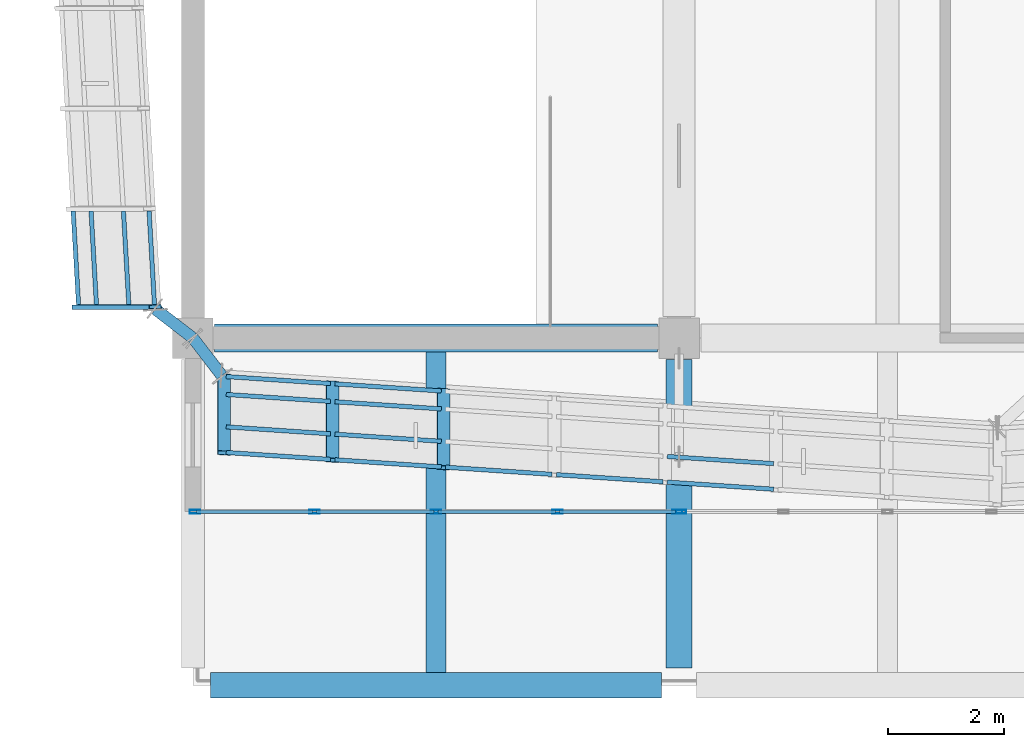
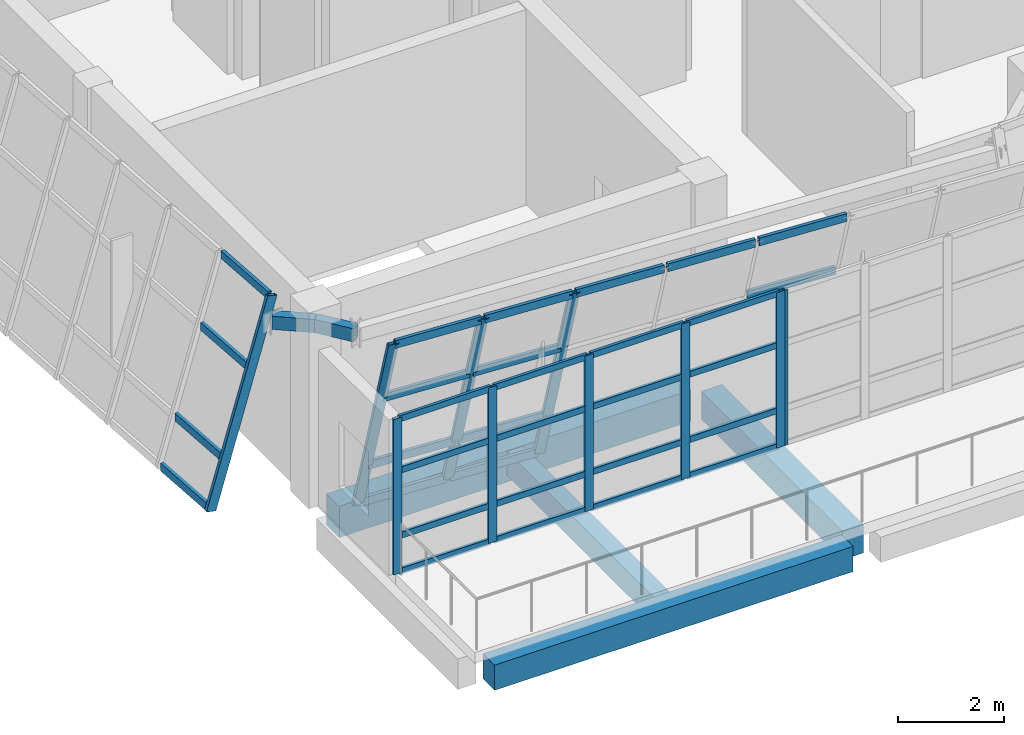
# One storey, part 2 of 67: 42 members, 6 beams, 4 elements without a shape of their own.
"""IFC4 building model written with IfcOpenShell, lengths in metres."""

from ifc_helpers import new_model, si_unit, direction, frame, origin, origin_2d, place, context, subcontext, project, spatial, rectangle, hollow_rectangle, extrude, material, material_profile, profile_set, type_object, element, aggregate, save


model = new_model("IFC4")

# Units and contexts
model_context = context("Model", 3, precision=1e-05, world=origin(), true_north=direction((0.0, 1.0)))
body_context = subcontext(model_context, "Body", "Model", "MODEL_VIEW")
ifc_project = project(units=[si_unit("LENGTHUNIT", "METRE"), si_unit("AREAUNIT", "SQUARE_METRE"), si_unit("VOLUMEUNIT", "CUBIC_METRE"), si_unit("PLANEANGLEUNIT", "RADIAN"), si_unit("MASSUNIT", "GRAM", prefix="KILO")], contexts=[model_context])

# Site, building, storey
site_placement = place(None, origin())
site = spatial("IfcSite", under=ifc_project, at=site_placement, CompositionType="ELEMENT")
building_placement = place(site_placement, origin())
building = spatial("IfcBuilding", under=site, at=building_placement, Name="Pellamere Symphony Hall", CompositionType="ELEMENT")
storey_placement = place(building_placement, frame((0.0, 0.0, 19.5)))
storey = spatial("IfcBuildingStorey", under=building, at=storey_placement, Name="L04", CompositionType="ELEMENT", Elevation=19.5)

# Curtain wall, members
ifc_material_1 = material(Name="Thermally Broken Anodised Aluminium 6063-T6 Curtain Wall", Category="aluminium")
curtain_wall_type_1 = type_object("IfcCurtainWallType", Name="Curtain Wall CW-01 (Tilted Faceted Crystal Low-Iron Curtain Wall)", PredefinedType="NOTDEFINED", material=ifc_material_1)
curtain_wall_1_placement = place(storey_placement, origin())
curtain_wall_1 = element("IfcCurtainWall", 1, at=curtain_wall_1_placement, inside=storey, type_object=curtain_wall_type_1, Name="Crystal Faceted Curtain Wall CW-CR01 (L04)", PredefinedType="NOTDEFINED")
ifc_material_2 = material(Name="Anodised Architectural Aluminium 6063-T6", Category="aluminium")
ifc_material_profile_1 = material_profile(ifc_material_2, hollow_rectangle(XDim=0.074951171875, YDim=0.219970703125, WallThickness=0.0048828125, at=origin_2d()), Name="ALU-M75X220X5")
ifc_profile_set_1 = profile_set([ifc_material_profile_1], Name="Anodised Architectural Aluminium 6063-T6")
member_type_1 = type_object("IfcMemberType", Name="Curtain Wall Mullion ML-01 ALU-M75X220X5", PredefinedType="MULLION", material=ifc_profile_set_1)
member_1_placement = place(storey_placement, frame((50.9375, 29.347412109375, 0.0), z_axis=(0.0, -0.284024567884, 0.95881700279), x_axis=(0.067013200006, 0.956661667464, 0.283386105922)))
member_1 = element("IfcMember", 2, at=member_1_placement, type_object=member_type_1, Name="CW1-001 crystal mullion 1", PredefinedType="MULLION", context=body_context, shape_type="SweptSolid", body=[
    extrude(hollow_rectangle(XDim=0.074951171875, YDim=0.219970703125, WallThickness=0.0048828125, at=origin_2d()), origin(), (0.0, 0.0, 1.0), 4.693359375),
])
member_2_placement = place(storey_placement, frame((52.814208984375, 29.221435546875, 0.0), z_axis=(0.0, -0.284024567884, 0.95881700279), x_axis=(0.067013200006, 0.956661667464, 0.283386105922)))
member_2 = element("IfcMember", 3, at=member_2_placement, type_object=member_type_1, Name="CW1-001 crystal mullion 2", PredefinedType="MULLION", context=body_context, shape_type="SweptSolid", body=[
    extrude(hollow_rectangle(XDim=0.074951171875, YDim=0.219970703125, WallThickness=0.0048828125, at=origin_2d()), origin(), (0.0, 0.0, 1.0), 4.693359375),
])
member_3_placement = place(storey_placement, frame((54.728515625, 29.0927734375, 0.0), z_axis=(0.0, -0.284024567884, 0.95881700279), x_axis=(0.067013200006, 0.956661667464, 0.283386105922)))
member_3 = element("IfcMember", 4, at=member_3_placement, type_object=member_type_1, Name="CW1-001 crystal mullion 3", PredefinedType="MULLION", context=body_context, shape_type="SweptSolid", body=[
    extrude(hollow_rectangle(XDim=0.074951171875, YDim=0.219970703125, WallThickness=0.0048828125, at=origin_2d()), origin(), (0.0, 0.0, 1.0), 4.693359375),
])

# Curtain wall, member
curtain_wall_2_placement = place(storey_placement, origin())
curtain_wall_2 = element("IfcCurtainWall", 5, at=curtain_wall_2_placement, inside=storey, type_object=curtain_wall_type_1, Name="Crystal Faceted Curtain Wall CW-CR18 (L04)", PredefinedType="NOTDEFINED")
member_4_placement = place(storey_placement, frame((48.414794921875, 30.537353515625, 0.0), z_axis=(0.284024567884, 0.0, 0.95881700279), x_axis=(-0.055224537145, 0.998339941676, 0.01635883099)))
member_4 = element("IfcMember", 6, at=member_4_placement, type_object=member_type_1, Name="CW1-056 crystal mullion 10", PredefinedType="MULLION", context=body_context, shape_type="SweptSolid", body=[
    extrude(hollow_rectangle(XDim=0.074951171875, YDim=0.219970703125, WallThickness=0.0048828125, at=origin_2d()), origin(), (0.0, 0.0, 1.0), 4.693359375),
])

# Curtain wall, members
curtain_wall_type_2 = type_object("IfcCurtainWallType", Name="Curtain Wall CW-06 (Belvedere Terrace Clerestory Curtain Wall)", PredefinedType="NOTDEFINED", material=ifc_material_1)
curtain_wall_3_placement = place(storey_placement, origin())
curtain_wall_3 = element("IfcCurtainWall", 7, at=curtain_wall_3_placement, inside=storey, type_object=curtain_wall_type_2, Name="Winter-Garden South Curtain Wall (L04 Bay 1)", PredefinedType="NOTDEFINED")
ifc_material_profile_2 = material_profile(ifc_material_2, hollow_rectangle(XDim=0.06494140625, YDim=0.179931640625, WallThickness=0.00390625, at=origin_2d()), Name="ALU-M65X180X4")
ifc_profile_set_2 = profile_set([ifc_material_profile_2], Name="Anodised Architectural Aluminium 6063-T6")
member_type_2 = type_object("IfcMemberType", Name="Curtain Wall Mullion ML-02 ALU-M65X180X4", PredefinedType="MULLION", material=ifc_profile_set_2)
member_5_placement = place(storey_placement, frame((50.4326171875, 27.0, 0.0), z_axis=(0.0, 0.0, 1.0), x_axis=(0.0, 1.0, 0.0)))
member_5 = element("IfcMember", 8, at=member_5_placement, type_object=member_type_2, Name="CW2-095 crystal mullion 1", PredefinedType="MULLION", context=body_context, shape_type="SweptSolid", body=[
    extrude(hollow_rectangle(XDim=0.06494140625, YDim=0.179931640625, WallThickness=0.00390625, at=origin_2d()), origin(), (0.0, 0.0, 1.0), 3.577392578125),
])
member_6_placement = place(storey_placement, frame((52.5, 27.0, 0.0), z_axis=(0.0, 0.0, 1.0), x_axis=(0.0, 1.0, 0.0)))
member_6 = element("IfcMember", 9, at=member_6_placement, type_object=member_type_2, Name="CW2-095 crystal mullion 2", PredefinedType="MULLION", context=body_context, shape_type="SweptSolid", body=[
    extrude(hollow_rectangle(XDim=0.06494140625, YDim=0.179931640625, WallThickness=0.00390625, at=origin_2d()), origin(), (0.0, 0.0, 1.0), 3.577392578125),
])
member_7_placement = place(storey_placement, frame((54.60009765625, 27.0, 0.0), z_axis=(0.0, 0.0, 1.0), x_axis=(0.0, 1.0, 0.0)))
member_7 = element("IfcMember", 10, at=member_7_placement, type_object=member_type_2, Name="CW2-095 crystal mullion 3", PredefinedType="MULLION", context=body_context, shape_type="SweptSolid", body=[
    extrude(hollow_rectangle(XDim=0.06494140625, YDim=0.179931640625, WallThickness=0.00390625, at=origin_2d()), origin(), (0.0, 0.0, 1.0), 3.577392578125),
])
member_8_placement = place(storey_placement, frame((56.699951171875, 27.0, 0.0), z_axis=(0.0, 0.0, 1.0), x_axis=(0.0, 1.0, 0.0)))
member_8 = element("IfcMember", 11, at=member_8_placement, type_object=member_type_2, Name="CW2-095 crystal mullion 4", PredefinedType="MULLION", context=body_context, shape_type="SweptSolid", body=[
    extrude(hollow_rectangle(XDim=0.06494140625, YDim=0.179931640625, WallThickness=0.00390625, at=origin_2d()), origin(), (0.0, 0.0, 1.0), 3.577392578125),
])
member_9_placement = place(storey_placement, frame((58.767578125, 27.0, 0.0), z_axis=(0.0, 0.0, 1.0), x_axis=(0.0, 1.0, 0.0)))
member_9 = element("IfcMember", 12, at=member_9_placement, type_object=member_type_2, Name="CW2-095 crystal mullion 5", PredefinedType="MULLION", context=body_context, shape_type="SweptSolid", body=[
    extrude(hollow_rectangle(XDim=0.06494140625, YDim=0.179931640625, WallThickness=0.00390625, at=origin_2d()), origin(), (0.0, 0.0, 1.0), 3.577392578125),
])

# Curtain wall, member
curtain_wall_4_placement = place(storey_placement, origin())
curtain_wall_4 = element("IfcCurtainWall", 13, at=curtain_wall_4_placement, inside=storey, type_object=curtain_wall_type_2, Name="Winter-Garden South Curtain Wall (L04 Bay 2)", PredefinedType="NOTDEFINED")
member_10_placement = place(storey_placement, frame((58.83251953125, 27.0, 0.0), z_axis=(0.0, 0.0, 1.0), x_axis=(0.0, 1.0, 0.0)))
member_10 = element("IfcMember", 14, at=member_10_placement, type_object=member_type_2, Name="CW2-096 crystal mullion 1", PredefinedType="MULLION", context=body_context, shape_type="SweptSolid", body=[
    extrude(hollow_rectangle(XDim=0.06494140625, YDim=0.179931640625, WallThickness=0.00390625, at=origin_2d()), origin(), (0.0, 0.0, 1.0), 3.577392578125),
])
aggregate(curtain_wall_4, [member_10])

# Member
ifc_material_profile_3 = material_profile(ifc_material_2, hollow_rectangle(XDim=0.074951171875, YDim=0.179931640625, WallThickness=0.0048828125, at=origin_2d()), Name="ALU-T75X180X5")
ifc_profile_set_3 = profile_set([ifc_material_profile_3], Name="Anodised Architectural Aluminium 6063-T6")
member_type_3 = type_object("IfcMemberType", Name="Curtain Wall Transom TR-01 ALU-T75X180X5", PredefinedType="USERDEFINED", material=ifc_profile_set_3)
member_11_placement = place(storey_placement, frame((50.974853515625, 29.334228515625, 0.035888671875), z_axis=(0.997758761658, -0.066913776862, 0.0), x_axis=(0.066913776862, 0.997758761658, 0.0)))
member_11 = element("IfcMember", 15, at=member_11_placement, type_object=member_type_3, Name="CW1-001 crystal transom 1.1", ObjectType="TRANSOM", PredefinedType="USERDEFINED", context=body_context, shape_type="SweptSolid", body=[
    extrude(hollow_rectangle(XDim=0.074951171875, YDim=0.179931640625, WallThickness=0.0048828125, at=origin_2d()), origin(), (0.0, 0.0, 1.0), 1.80615234375),
])

member_12_placement = place(storey_placement, frame((50.974853515625, 29.025146484375, 1.080078125), z_axis=(0.997749727577, -0.067048349123, 0.0), x_axis=(0.067048349123, 0.997749727577, 0.0)))
member_12 = element("IfcMember", 16, at=member_12_placement, type_object=member_type_3, Name="CW1-001 crystal transom 1.2", ObjectType="TRANSOM", PredefinedType="USERDEFINED", context=body_context, shape_type="SweptSolid", body=[
    extrude(hollow_rectangle(XDim=0.074951171875, YDim=0.179931640625, WallThickness=0.0048828125, at=origin_2d()), origin(), (0.0, 0.0, 1.0), 1.80615234375),
])

member_13_placement = place(storey_placement, frame((50.974853515625, 28.465087890625, 2.969970703125), z_axis=(0.997758761658, -0.066913776862, 0.0), x_axis=(0.066913776862, 0.997758761658, 0.0)))
member_13 = element("IfcMember", 17, at=member_13_placement, type_object=member_type_3, Name="CW1-001 crystal transom 1.3", ObjectType="TRANSOM", PredefinedType="USERDEFINED", context=body_context, shape_type="SweptSolid", body=[
    extrude(hollow_rectangle(XDim=0.074951171875, YDim=0.179931640625, WallThickness=0.0048828125, at=origin_2d()), origin(), (0.0, 0.0, 1.0), 1.80615234375),
])

member_14_placement = place(storey_placement, frame((50.974853515625, 28.022705078125, 4.464111328125), z_axis=(0.997749727577, -0.067048349123, 0.0), x_axis=(0.067048349123, 0.997749727577, 0.0)))
member_14 = element("IfcMember", 18, at=member_14_placement, type_object=member_type_3, Name="CW1-001 crystal transom 1.4", ObjectType="TRANSOM", PredefinedType="USERDEFINED", context=body_context, shape_type="SweptSolid", body=[
    extrude(hollow_rectangle(XDim=0.074951171875, YDim=0.179931640625, WallThickness=0.0048828125, at=origin_2d()), origin(), (0.0, 0.0, 1.0), 1.80615234375),
])

member_15_placement = place(storey_placement, frame((52.851806640625, 29.208251953125, 0.035888671875), z_axis=(0.99775222112, -0.067011232265, 0.0), x_axis=(0.067011232265, 0.99775222112, 0.0)))
member_15 = element("IfcMember", 19, at=member_15_placement, type_object=member_type_3, Name="CW1-001 crystal transom 2.1", ObjectType="TRANSOM", PredefinedType="USERDEFINED", context=body_context, shape_type="SweptSolid", body=[
    extrude(hollow_rectangle(XDim=0.074951171875, YDim=0.179931640625, WallThickness=0.0048828125, at=origin_2d()), origin(), (0.0, 0.0, 1.0), 1.843505859375),
])

member_16_placement = place(storey_placement, frame((52.851806640625, 28.89892578125, 1.080078125), z_axis=(0.99775222112, -0.067011232265, 0.0), x_axis=(0.067011232265, 0.99775222112, 0.0)))
member_16 = element("IfcMember", 20, at=member_16_placement, type_object=member_type_3, Name="CW1-001 crystal transom 2.2", ObjectType="TRANSOM", PredefinedType="USERDEFINED", context=body_context, shape_type="SweptSolid", body=[
    extrude(hollow_rectangle(XDim=0.074951171875, YDim=0.179931640625, WallThickness=0.0048828125, at=origin_2d()), origin(), (0.0, 0.0, 1.0), 1.843505859375),
])

member_17_placement = place(storey_placement, frame((52.851806640625, 28.339111328125, 2.969970703125), z_axis=(0.99775222112, -0.067011232265, 0.0), x_axis=(0.067011232265, 0.99775222112, 0.0)))
member_17 = element("IfcMember", 21, at=member_17_placement, type_object=member_type_3, Name="CW1-001 crystal transom 2.3", ObjectType="TRANSOM", PredefinedType="USERDEFINED", context=body_context, shape_type="SweptSolid", body=[
    extrude(hollow_rectangle(XDim=0.074951171875, YDim=0.179931640625, WallThickness=0.0048828125, at=origin_2d()), origin(), (0.0, 0.0, 1.0), 1.843505859375),
])

member_18_placement = place(storey_placement, frame((52.851806640625, 27.896484375, 4.464111328125), z_axis=(0.99775222112, -0.067011232265, 0.0), x_axis=(0.067011232265, 0.99775222112, 0.0)))
member_18 = element("IfcMember", 22, at=member_18_placement, type_object=member_type_3, Name="CW1-001 crystal transom 2.4", ObjectType="TRANSOM", PredefinedType="USERDEFINED", context=body_context, shape_type="SweptSolid", body=[
    extrude(hollow_rectangle(XDim=0.074951171875, YDim=0.179931640625, WallThickness=0.0048828125, at=origin_2d()), origin(), (0.0, 0.0, 1.0), 1.843505859375),
])

member_19_placement = place(storey_placement, frame((54.765869140625, 27.76806640625, 4.464111328125), z_axis=(0.997752815695, -0.067002378864, 0.0), x_axis=(0.067002378864, 0.997752815695, 0.0)))
member_19 = element("IfcMember", 23, at=member_19_placement, type_object=member_type_3, Name="CW1-001 crystal transom 3.4", ObjectType="TRANSOM", PredefinedType="USERDEFINED", context=body_context, shape_type="SweptSolid", body=[
    extrude(hollow_rectangle(XDim=0.074951171875, YDim=0.179931640625, WallThickness=0.0048828125, at=origin_2d()), origin(), (0.0, 0.0, 1.0), 1.84375),
])

member_20_placement = place(storey_placement, frame((56.68017578125, 27.639404296875, 4.464111328125), z_axis=(0.997752815695, -0.067002378864, 0.0), x_axis=(0.067002378864, 0.997752815695, 0.0)))
member_20 = element("IfcMember", 24, at=member_20_placement, type_object=member_type_3, Name="CW1-001 crystal transom 4.4", ObjectType="TRANSOM", PredefinedType="USERDEFINED", context=body_context, shape_type="SweptSolid", body=[
    extrude(hollow_rectangle(XDim=0.074951171875, YDim=0.179931640625, WallThickness=0.0048828125, at=origin_2d()), origin(), (0.0, 0.0, 1.0), 1.84375),
])

member_21_placement = place(storey_placement, frame((58.594482421875, 27.953369140625, 2.969970703125), z_axis=(0.997752815695, -0.067002378864, 0.0), x_axis=(0.067002378864, 0.997752815695, 0.0)))
member_21 = element("IfcMember", 25, at=member_21_placement, type_object=member_type_3, Name="CW1-001 crystal transom 5.3", ObjectType="TRANSOM", PredefinedType="USERDEFINED", context=body_context, shape_type="SweptSolid", body=[
    extrude(hollow_rectangle(XDim=0.074951171875, YDim=0.179931640625, WallThickness=0.0048828125, at=origin_2d()), origin(), (0.0, 0.0, 1.0), 1.84375),
])

member_22_placement = place(storey_placement, frame((58.594482421875, 27.5107421875, 4.464111328125), z_axis=(0.997752815695, -0.067002378864, 0.0), x_axis=(0.067002378864, 0.997752815695, 0.0)))
member_22 = element("IfcMember", 26, at=member_22_placement, type_object=member_type_3, Name="CW1-001 crystal transom 5.4", ObjectType="TRANSOM", PredefinedType="USERDEFINED", context=body_context, shape_type="SweptSolid", body=[
    extrude(hollow_rectangle(XDim=0.074951171875, YDim=0.179931640625, WallThickness=0.0048828125, at=origin_2d()), origin(), (0.0, 0.0, 1.0), 1.84375),
])

aggregate(curtain_wall_1, [member_1, member_2, member_3, member_11, member_12, member_13, member_14, member_15, member_16, member_17, member_18, member_19, member_20, member_21, member_22])

member_23_placement = place(storey_placement, frame((48.329833984375, 32.19580078125, 0.035888671875), z_axis=(0.057593652861, -0.998340107954, 0.0), x_axis=(0.998340107954, 0.057593652861, 0.0)))
member_23 = element("IfcMember", 27, at=member_23_placement, type_object=member_type_3, Name="CW1-056 crystal transom 9.1", ObjectType="TRANSOM", PredefinedType="USERDEFINED", context=body_context, shape_type="SweptSolid", body=[
    extrude(hollow_rectangle(XDim=0.074951171875, YDim=0.179931640625, WallThickness=0.0048828125, at=origin_2d()), origin(), (0.0, 0.0, 1.0), 1.62353515625),
])

member_24_placement = place(storey_placement, frame((48.63916015625, 32.19580078125, 1.080078125), z_axis=(0.057593652861, -0.998340107954, 0.0), x_axis=(0.998340107954, 0.057593652861, 0.0)))
member_24 = element("IfcMember", 28, at=member_24_placement, type_object=member_type_3, Name="CW1-056 crystal transom 9.2", ObjectType="TRANSOM", PredefinedType="USERDEFINED", context=body_context, shape_type="SweptSolid", body=[
    extrude(hollow_rectangle(XDim=0.074951171875, YDim=0.179931640625, WallThickness=0.0048828125, at=origin_2d()), origin(), (0.0, 0.0, 1.0), 1.62353515625),
])

member_25_placement = place(storey_placement, frame((49.198974609375, 32.19580078125, 2.969970703125), z_axis=(0.057593652861, -0.998340107954, 0.0), x_axis=(0.998340107954, 0.057593652861, 0.0)))
member_25 = element("IfcMember", 29, at=member_25_placement, type_object=member_type_3, Name="CW1-056 crystal transom 9.3", ObjectType="TRANSOM", PredefinedType="USERDEFINED", context=body_context, shape_type="SweptSolid", body=[
    extrude(hollow_rectangle(XDim=0.074951171875, YDim=0.179931640625, WallThickness=0.0048828125, at=origin_2d()), origin(), (0.0, 0.0, 1.0), 1.62353515625),
])

member_26_placement = place(storey_placement, frame((49.6416015625, 32.19580078125, 4.464111328125), z_axis=(0.057593652861, -0.998340107954, 0.0), x_axis=(0.998340107954, 0.057593652861, 0.0)))
member_26 = element("IfcMember", 30, at=member_26_placement, type_object=member_type_3, Name="CW1-056 crystal transom 9.4", ObjectType="TRANSOM", PredefinedType="USERDEFINED", context=body_context, shape_type="SweptSolid", body=[
    extrude(hollow_rectangle(XDim=0.074951171875, YDim=0.179931640625, WallThickness=0.0048828125, at=origin_2d()), origin(), (0.0, 0.0, 1.0), 1.62353515625),
])

aggregate(curtain_wall_2, [member_4, member_23, member_24, member_25, member_26])

ifc_material_profile_4 = material_profile(ifc_material_2, hollow_rectangle(XDim=0.06494140625, YDim=0.139892578125, WallThickness=0.00390625, at=origin_2d()), Name="ALU-T65X140X4")
ifc_profile_set_4 = profile_set([ifc_material_profile_4], Name="Anodised Architectural Aluminium 6063-T6")
member_type_4 = type_object("IfcMemberType", Name="Curtain Wall Transom TR-02 ALU-T65X140X4", PredefinedType="USERDEFINED", material=ifc_profile_set_4)
member_27_placement = place(storey_placement, frame((50.465087890625, 27.0, 0.032470703125), z_axis=(1.0, 0.0, 0.0), x_axis=(0.0, 1.0, 0.0)))
member_27 = element("IfcMember", 31, at=member_27_placement, type_object=member_type_4, Name="CW2-095 crystal transom 1.1", ObjectType="TRANSOM", PredefinedType="USERDEFINED", context=body_context, shape_type="SweptSolid", body=[
    extrude(hollow_rectangle(XDim=0.06494140625, YDim=0.139892578125, WallThickness=0.00390625, at=origin_2d()), origin(), (0.0, 0.0, 1.0), 2.00244140625),
])

member_28_placement = place(storey_placement, frame((50.465087890625, 27.0, 0.858642578125), z_axis=(1.0, 0.0, 0.0), x_axis=(0.0, 1.0, 0.0)))
member_28 = element("IfcMember", 32, at=member_28_placement, type_object=member_type_4, Name="CW2-095 crystal transom 1.2", ObjectType="TRANSOM", PredefinedType="USERDEFINED", context=body_context, shape_type="SweptSolid", body=[
    extrude(hollow_rectangle(XDim=0.06494140625, YDim=0.139892578125, WallThickness=0.00390625, at=origin_2d()), origin(), (0.0, 0.0, 1.0), 2.00244140625),
])

member_29_placement = place(storey_placement, frame((50.465087890625, 27.0, 2.361083984375), z_axis=(1.0, 0.0, 0.0), x_axis=(0.0, 1.0, 0.0)))
member_29 = element("IfcMember", 33, at=member_29_placement, type_object=member_type_4, Name="CW2-095 crystal transom 1.3", ObjectType="TRANSOM", PredefinedType="USERDEFINED", context=body_context, shape_type="SweptSolid", body=[
    extrude(hollow_rectangle(XDim=0.06494140625, YDim=0.139892578125, WallThickness=0.00390625, at=origin_2d()), origin(), (0.0, 0.0, 1.0), 2.00244140625),
])

member_30_placement = place(storey_placement, frame((50.465087890625, 27.0, 3.544921875), z_axis=(1.0, 0.0, 0.0), x_axis=(0.0, 1.0, 0.0)))
member_30 = element("IfcMember", 34, at=member_30_placement, type_object=member_type_4, Name="CW2-095 crystal transom 1.4", ObjectType="TRANSOM", PredefinedType="USERDEFINED", context=body_context, shape_type="SweptSolid", body=[
    extrude(hollow_rectangle(XDim=0.06494140625, YDim=0.139892578125, WallThickness=0.00390625, at=origin_2d()), origin(), (0.0, 0.0, 1.0), 2.00244140625),
])

member_31_placement = place(storey_placement, frame((52.532470703125, 27.0, 0.032470703125), z_axis=(1.0, 0.0, 0.0), x_axis=(0.0, 1.0, 0.0)))
member_31 = element("IfcMember", 35, at=member_31_placement, type_object=member_type_4, Name="CW2-095 crystal transom 2.1", ObjectType="TRANSOM", PredefinedType="USERDEFINED", context=body_context, shape_type="SweptSolid", body=[
    extrude(hollow_rectangle(XDim=0.06494140625, YDim=0.139892578125, WallThickness=0.00390625, at=origin_2d()), origin(), (0.0, 0.0, 1.0), 2.034912109375),
])

member_32_placement = place(storey_placement, frame((52.532470703125, 27.0, 0.858642578125), z_axis=(1.0, 0.0, 0.0), x_axis=(0.0, 1.0, 0.0)))
member_32 = element("IfcMember", 36, at=member_32_placement, type_object=member_type_4, Name="CW2-095 crystal transom 2.2", ObjectType="TRANSOM", PredefinedType="USERDEFINED", context=body_context, shape_type="SweptSolid", body=[
    extrude(hollow_rectangle(XDim=0.06494140625, YDim=0.139892578125, WallThickness=0.00390625, at=origin_2d()), origin(), (0.0, 0.0, 1.0), 2.034912109375),
])

member_33_placement = place(storey_placement, frame((52.532470703125, 27.0, 2.361083984375), z_axis=(1.0, 0.0, 0.0), x_axis=(0.0, 1.0, 0.0)))
member_33 = element("IfcMember", 37, at=member_33_placement, type_object=member_type_4, Name="CW2-095 crystal transom 2.3", ObjectType="TRANSOM", PredefinedType="USERDEFINED", context=body_context, shape_type="SweptSolid", body=[
    extrude(hollow_rectangle(XDim=0.06494140625, YDim=0.139892578125, WallThickness=0.00390625, at=origin_2d()), origin(), (0.0, 0.0, 1.0), 2.034912109375),
])

member_34_placement = place(storey_placement, frame((52.532470703125, 27.0, 3.544921875), z_axis=(1.0, 0.0, 0.0), x_axis=(0.0, 1.0, 0.0)))
member_34 = element("IfcMember", 38, at=member_34_placement, type_object=member_type_4, Name="CW2-095 crystal transom 2.4", ObjectType="TRANSOM", PredefinedType="USERDEFINED", context=body_context, shape_type="SweptSolid", body=[
    extrude(hollow_rectangle(XDim=0.06494140625, YDim=0.139892578125, WallThickness=0.00390625, at=origin_2d()), origin(), (0.0, 0.0, 1.0), 2.034912109375),
])

member_35_placement = place(storey_placement, frame((54.632568359375, 27.0, 0.032470703125), z_axis=(1.0, 0.0, 0.0), x_axis=(0.0, 1.0, 0.0)))
member_35 = element("IfcMember", 39, at=member_35_placement, type_object=member_type_4, Name="CW2-095 crystal transom 3.1", ObjectType="TRANSOM", PredefinedType="USERDEFINED", context=body_context, shape_type="SweptSolid", body=[
    extrude(hollow_rectangle(XDim=0.06494140625, YDim=0.139892578125, WallThickness=0.00390625, at=origin_2d()), origin(), (0.0, 0.0, 1.0), 2.034912109375),
])

member_36_placement = place(storey_placement, frame((54.632568359375, 27.0, 0.858642578125), z_axis=(1.0, 0.0, 0.0), x_axis=(0.0, 1.0, 0.0)))
member_36 = element("IfcMember", 40, at=member_36_placement, type_object=member_type_4, Name="CW2-095 crystal transom 3.2", ObjectType="TRANSOM", PredefinedType="USERDEFINED", context=body_context, shape_type="SweptSolid", body=[
    extrude(hollow_rectangle(XDim=0.06494140625, YDim=0.139892578125, WallThickness=0.00390625, at=origin_2d()), origin(), (0.0, 0.0, 1.0), 2.034912109375),
])

member_37_placement = place(storey_placement, frame((54.632568359375, 27.0, 2.361083984375), z_axis=(1.0, 0.0, 0.0), x_axis=(0.0, 1.0, 0.0)))
member_37 = element("IfcMember", 41, at=member_37_placement, type_object=member_type_4, Name="CW2-095 crystal transom 3.3", ObjectType="TRANSOM", PredefinedType="USERDEFINED", context=body_context, shape_type="SweptSolid", body=[
    extrude(hollow_rectangle(XDim=0.06494140625, YDim=0.139892578125, WallThickness=0.00390625, at=origin_2d()), origin(), (0.0, 0.0, 1.0), 2.034912109375),
])

member_38_placement = place(storey_placement, frame((54.632568359375, 27.0, 3.544921875), z_axis=(1.0, 0.0, 0.0), x_axis=(0.0, 1.0, 0.0)))
member_38 = element("IfcMember", 42, at=member_38_placement, type_object=member_type_4, Name="CW2-095 crystal transom 3.4", ObjectType="TRANSOM", PredefinedType="USERDEFINED", context=body_context, shape_type="SweptSolid", body=[
    extrude(hollow_rectangle(XDim=0.06494140625, YDim=0.139892578125, WallThickness=0.00390625, at=origin_2d()), origin(), (0.0, 0.0, 1.0), 2.034912109375),
])

member_39_placement = place(storey_placement, frame((56.732421875, 27.0, 0.032470703125), z_axis=(1.0, 0.0, 0.0), x_axis=(0.0, 1.0, 0.0)))
member_39 = element("IfcMember", 43, at=member_39_placement, type_object=member_type_4, Name="CW2-095 crystal transom 4.1", ObjectType="TRANSOM", PredefinedType="USERDEFINED", context=body_context, shape_type="SweptSolid", body=[
    extrude(hollow_rectangle(XDim=0.06494140625, YDim=0.139892578125, WallThickness=0.00390625, at=origin_2d()), origin(), (0.0, 0.0, 1.0), 2.002685546875),
])

member_40_placement = place(storey_placement, frame((56.732421875, 27.0, 0.858642578125), z_axis=(1.0, 0.0, 0.0), x_axis=(0.0, 1.0, 0.0)))
member_40 = element("IfcMember", 44, at=member_40_placement, type_object=member_type_4, Name="CW2-095 crystal transom 4.2", ObjectType="TRANSOM", PredefinedType="USERDEFINED", context=body_context, shape_type="SweptSolid", body=[
    extrude(hollow_rectangle(XDim=0.06494140625, YDim=0.139892578125, WallThickness=0.00390625, at=origin_2d()), origin(), (0.0, 0.0, 1.0), 2.002685546875),
])

member_41_placement = place(storey_placement, frame((56.732421875, 27.0, 2.361083984375), z_axis=(1.0, 0.0, 0.0), x_axis=(0.0, 1.0, 0.0)))
member_41 = element("IfcMember", 45, at=member_41_placement, type_object=member_type_4, Name="CW2-095 crystal transom 4.3", ObjectType="TRANSOM", PredefinedType="USERDEFINED", context=body_context, shape_type="SweptSolid", body=[
    extrude(hollow_rectangle(XDim=0.06494140625, YDim=0.139892578125, WallThickness=0.00390625, at=origin_2d()), origin(), (0.0, 0.0, 1.0), 2.002685546875),
])

member_42_placement = place(storey_placement, frame((56.732421875, 27.0, 3.544921875), z_axis=(1.0, 0.0, 0.0), x_axis=(0.0, 1.0, 0.0)))
member_42 = element("IfcMember", 46, at=member_42_placement, type_object=member_type_4, Name="CW2-095 crystal transom 4.4", ObjectType="TRANSOM", PredefinedType="USERDEFINED", context=body_context, shape_type="SweptSolid", body=[
    extrude(hollow_rectangle(XDim=0.06494140625, YDim=0.139892578125, WallThickness=0.00390625, at=origin_2d()), origin(), (0.0, 0.0, 1.0), 2.002685546875),
])

aggregate(curtain_wall_3, [member_5, member_6, member_7, member_8, member_9, member_27, member_28, member_29, member_30, member_31, member_32, member_33, member_34, member_35, member_36, member_37, member_38, member_39, member_40, member_41, member_42])

# Beams
ifc_material_3 = material(Name="Concrete 40 MPa", Category="concrete")
ifc_material_profile_5 = material_profile(ifc_material_3, rectangle(XDim=0.449951171875, YDim=0.64990234375, at=origin_2d()), Name="RC 450x650")
ifc_profile_set_5 = profile_set([ifc_material_profile_5], Name="Concrete 40 MPa")
beam_type_1 = type_object("IfcBeamType", Name="RC CB-08 450x650", PredefinedType="BEAM", material=ifc_profile_set_5)
beam_1_placement = place(storey_placement, frame((58.800048828125, 24.300048828125, -0.5849609375), z_axis=(0.0, 1.0, 0.0), x_axis=(-1.0, 0.0, 0.0)))
element("IfcBeam", 47, at=beam_1_placement, inside=storey, type_object=beam_type_1, Name="Girder CB-08-Y1877 (L04)", PredefinedType="BEAM", context=body_context, shape_type="SweptSolid", body=[
    extrude(rectangle(XDim=0.449951171875, YDim=0.64990234375, at=origin_2d()), origin(), (0.0, 0.0, 1.0), 5.324951171875),
])
ifc_material_4 = material(Name="Concrete 35 MPa", Category="concrete")
ifc_material_profile_6 = material_profile(ifc_material_4, rectangle(XDim=0.35009765625, YDim=0.550048828125, at=origin_2d()), Name="RC 350x550")
ifc_profile_set_6 = profile_set([ifc_material_profile_6], Name="Concrete 35 MPa")
beam_type_2 = type_object("IfcBeamType", Name="RC CB-10 350x550", PredefinedType="BEAM", material=ifc_profile_set_6)
beam_2_placement = place(storey_placement, frame((54.60009765625, 24.219970703125, -0.550048828125), z_axis=(0.0, 1.0, 0.0), x_axis=(-1.0, 0.0, 0.0)))
element("IfcBeam", 48, at=beam_2_placement, inside=storey, type_object=beam_type_2, Name="Secondary Floor Beam CB-10-M0603 (L04)", PredefinedType="BEAM", context=body_context, shape_type="SweptSolid", body=[
    extrude(rectangle(XDim=0.35009765625, YDim=0.550048828125, at=origin_2d()), origin(), (0.0, 0.0, 1.0), 5.5400390625),
])
ifc_material_profile_7 = material_profile(ifc_material_3, rectangle(XDim=0.47998046875, YDim=0.719970703125, at=origin_2d()), Name="RC 480x720")
ifc_profile_set_7 = profile_set([ifc_material_profile_7], Name="Concrete 40 MPa")
beam_type_3 = type_object("IfcBeamType", Name="RC CB-14 480x720", PredefinedType="SPANDREL", material=ifc_profile_set_7)
beam_3_placement = place(storey_placement, frame((50.77490234375, 30.0, -0.6201171875), z_axis=(1.0, 0.0, 0.0), x_axis=(0.0, 1.0, 0.0)))
element("IfcBeam", 49, at=beam_3_placement, inside=storey, type_object=beam_type_3, Name="Girder CB-14-X1803 (L04)", PredefinedType="SPANDREL", context=body_context, shape_type="SweptSolid", body=[
    extrude(rectangle(XDim=0.47998046875, YDim=0.719970703125, at=origin_2d()), origin(), (0.0, 0.0, 1.0), 7.650146484375),
])
ifc_material_profile_8 = material_profile(ifc_material_3, rectangle(XDim=0.43994140625, YDim=0.580078125, at=origin_2d()), Name="RC 440x580")
ifc_profile_set_8 = profile_set([ifc_material_profile_8], Name="Concrete 40 MPa")
beam_type_4 = type_object("IfcBeamType", Name="RC CB-20 440x580", PredefinedType="BEAM", material=ifc_profile_set_8)
beam_4_placement = place(storey_placement, frame((50.699951171875, 24.0, -0.550048828125), z_axis=(1.0, 0.0, 0.0), x_axis=(0.0, 1.0, 0.0)))
element("IfcBeam", 50, at=beam_4_placement, inside=storey, type_object=beam_type_4, Name="Girder CB-20-X1793 (L04)", PredefinedType="BEAM", context=body_context, shape_type="SweptSolid", body=[
    extrude(rectangle(XDim=0.43994140625, YDim=0.580078125, at=origin_2d()), origin(), (0.0, 0.0, 1.0), 7.800048828125),
])
ifc_material_5 = material(Name="Steel CSA G40.21 350W", Category="steel")
ifc_material_profile_9 = material_profile(ifc_material_5, hollow_rectangle(XDim=0.203125, YDim=0.3046875, WallThickness=0.0126953125, at=origin_2d()), Name="HSS305X203X13")
ifc_profile_set_9 = profile_set([ifc_material_profile_9], Name="Steel CSA G40.21 350W")
beam_type_5 = type_object("IfcBeamType", Name="Steel Spandrel SB-26 HSS305X203X13", PredefinedType="SPANDREL", material=ifc_profile_set_9)
for number, where, z_axis, x_axis, name in (
    (51, (50.39990234375, 30.0, 3.93994140625), (0.609768314627, -0.792579713642, 0.0), (0.792579713642, 0.609768314627, 0.0), "Crystal Ring Outrigger Bracket 002 (L04)"),
    (52, (50.39990234375, 30.0, 3.93994140625), (-0.792579713642, 0.609768314627, 0.0), (-0.609768314627, -0.792579713642, 0.0), "Crystal Ring Outrigger Bracket 125 (L04)"),
):
    element("IfcBeam", number, at=place(storey_placement, frame(where, z_axis=z_axis, x_axis=x_axis)), inside=storey, type_object=beam_type_5, Name=name, PredefinedType="SPANDREL", context=body_context, shape_type="SweptSolid", body=[
        extrude(hollow_rectangle(XDim=0.203125, YDim=0.3046875, WallThickness=0.0126953125, at=origin_2d()), origin(), (0.0, 0.0, 1.0), 0.820068359375),
    ])

save(model, "model.ifc")
